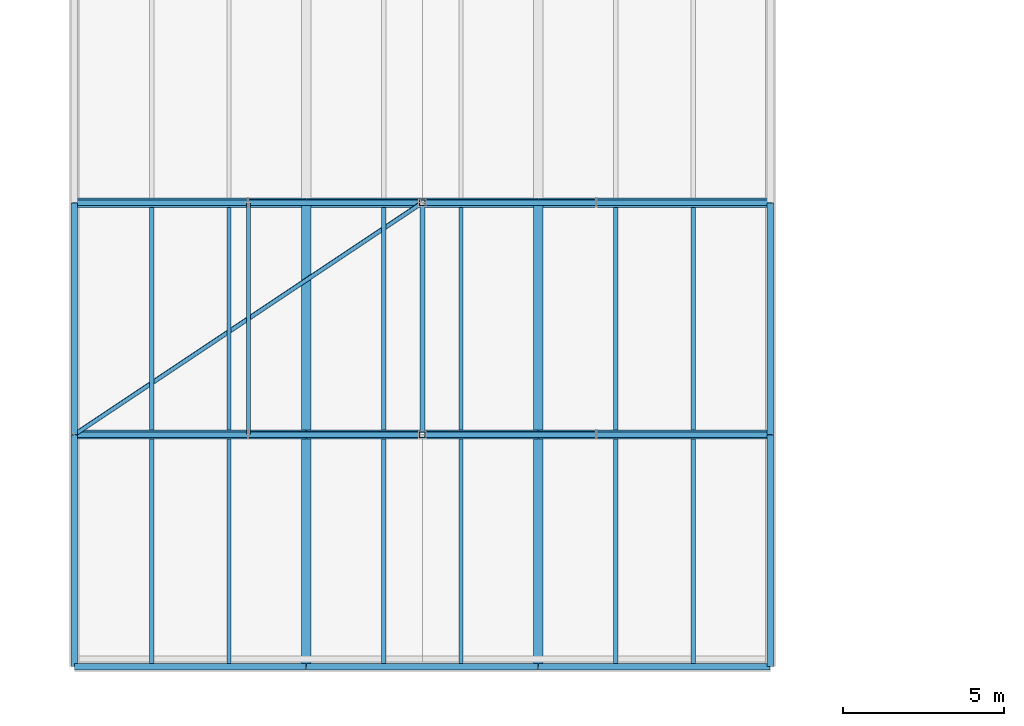
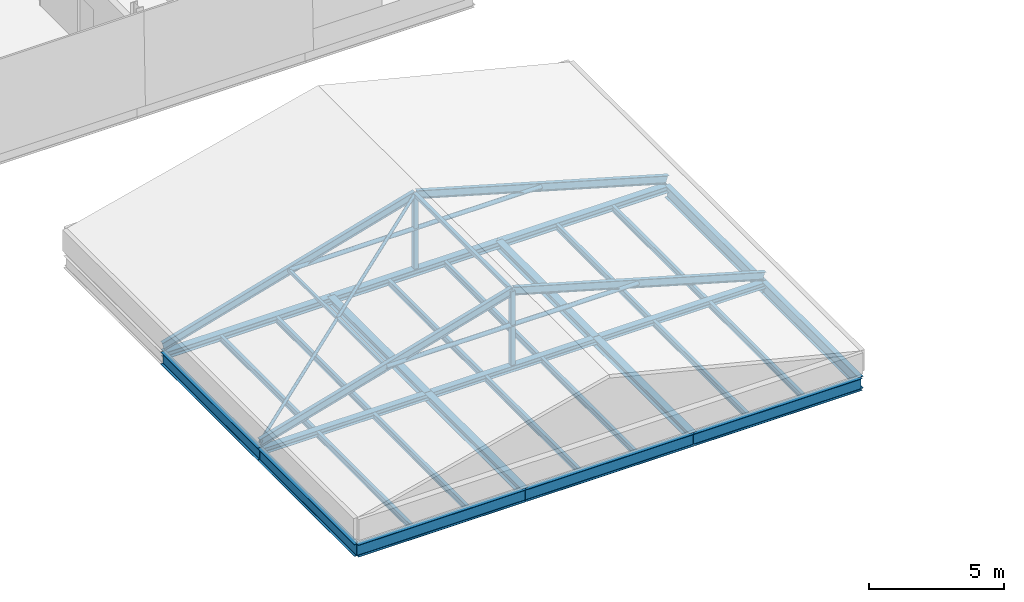
# One storey, part 13 of 91: 29 beams, 11 members.
"""IFC4 building model written with IfcOpenShell, lengths in metres."""

from ifc_helpers import new_model, si_unit, direction, frame, origin, origin_2d, place, context, subcontext, project, spatial, hollow_rectangle, hollow_circle, i_section, extrude, material, material_profile, profile_set, type_object, element, save


model = new_model("IFC4")

# Units and contexts
model_context = context("Model", 3, precision=1e-05, world=origin(), true_north=direction((0.0, 1.0)))
body_context = subcontext(model_context, "Body", "Model", "MODEL_VIEW")
ifc_project = project(units=[si_unit("LENGTHUNIT", "METRE"), si_unit("AREAUNIT", "SQUARE_METRE"), si_unit("VOLUMEUNIT", "CUBIC_METRE"), si_unit("PLANEANGLEUNIT", "RADIAN"), si_unit("MASSUNIT", "GRAM", prefix="KILO")], contexts=[model_context])

# Site, building, storey
site_placement = place(None, origin())
site = spatial("IfcSite", under=ifc_project, at=site_placement, CompositionType="ELEMENT")
building_placement = place(site_placement, origin())
building = spatial("IfcBuilding", under=site, at=building_placement, Name="Narikvali Park Central Library", CompositionType="ELEMENT")
storey_placement = place(building_placement, frame((0.0, 0.0, 14.39990234375)))
storey = spatial("IfcBuildingStorey", under=building, at=storey_placement, Name="L03", CompositionType="ELEMENT", Elevation=14.39990234375)

# Members
ifc_material = material(Name="Steel S355", Category="steel")
ifc_material_profile_1 = material_profile(ifc_material, hollow_rectangle(XDim=0.179931640625, YDim=0.179931640625, WallThickness=0.010009765625, at=origin_2d()), Name="SHS 180x180x10")
ifc_profile_set_1 = profile_set([ifc_material_profile_1], Name="Steel S355")
member_type_1 = type_object("IfcMemberType", Name="Auditorium Truss Vertical SHS180", PredefinedType="COLLAR", material=ifc_profile_set_1)
for number, where, z_axis, x_axis, name in (
    (1, (10.800048828125, 7.199951171875, -0.239990234375), (0.0, 0.0, 1.0), (1.0, 0.0, 0.0), "V2 Roof Truss King Strut 1"),
    (2, (10.800048828125, 14.39990234375, -0.239990234375), (0.0, 0.0, 1.0), (1.0, 0.0, 0.0), "V2 Roof Truss King Strut 2"),
):
    element("IfcMember", number, at=place(storey_placement, frame(where, z_axis=z_axis, x_axis=x_axis)), inside=storey, type_object=member_type_1, Name=name, PredefinedType="COLLAR", context=body_context, shape_type="SweptSolid", body=[
        extrude(hollow_rectangle(XDim=0.179931640625, YDim=0.179931640625, WallThickness=0.010009765625, at=origin_2d()), origin(), (0.0, 0.0, 1.0), 3.340087890625),
    ])

# Beams
ifc_material_profile_2 = material_profile(ifc_material, i_section(OverallWidth=0.135009765625, OverallDepth=0.27001953125, WebThickness=0.006591796875, FlangeThickness=0.01025390625, FilletRadius=0.014892578125, at=origin_2d()), Name="IPE 270")
ifc_profile_set_2 = profile_set([ifc_material_profile_2], Name="Steel S355")
beam_type_1 = type_object("IfcBeamType", Name="Composite Floor Joist IPE270", PredefinedType="JOIST", material=ifc_profile_set_2)
for number, where, z_axis, x_axis, name in (
    (3, (2.39990234375, 0.10498046875, -0.375), (0.0, 1.0, 0.0), (-1.0, 0.0, 0.0), "V2 L03 Composite Joist 1"),
    (4, (4.800048828125, 0.10498046875, -0.375), (0.0, 1.0, 0.0), (-1.0, 0.0, 0.0), "V2 L03 Composite Joist 2"),
):
    element("IfcBeam", number, at=place(storey_placement, frame(where, z_axis=z_axis, x_axis=x_axis)), inside=storey, type_object=beam_type_1, Name=name, PredefinedType="JOIST", context=body_context, shape_type="SweptSolid", body=[
        extrude(i_section(OverallWidth=0.135009765625, OverallDepth=0.27001953125, WebThickness=0.006591796875, FlangeThickness=0.01025390625, FilletRadius=0.014892578125, at=origin_2d()), origin(), (0.0, 0.0, 1.0), 6.955078125),
    ])
for number, where, z_axis, x_axis, name in (
    (5, (2.39990234375, 7.340087890625, -0.375), (0.0, 1.0, 0.0), (-1.0, 0.0, 0.0), "V2 L03 Composite Joist 1"),
    (6, (4.800048828125, 7.340087890625, -0.375), (0.0, 1.0, 0.0), (-1.0, 0.0, 0.0), "V2 L03 Composite Joist 2"),
):
    element("IfcBeam", number, at=place(storey_placement, frame(where, z_axis=z_axis, x_axis=x_axis)), inside=storey, type_object=beam_type_1, Name=name, PredefinedType="JOIST", context=body_context, shape_type="SweptSolid", body=[
        extrude(i_section(OverallWidth=0.135009765625, OverallDepth=0.27001953125, WebThickness=0.006591796875, FlangeThickness=0.01025390625, FilletRadius=0.014892578125, at=origin_2d()), origin(), (0.0, 0.0, 1.0), 6.909912109375),
    ])
for number, where, z_axis, x_axis, name in (
    (7, (9.60009765625, 0.10498046875, -0.375), (0.0, 1.0, 0.0), (-1.0, 0.0, 0.0), "V2 L03 Composite Joist 1"),
    (8, (12.0, 0.10498046875, -0.375), (0.0, 1.0, 0.0), (-1.0, 0.0, 0.0), "V2 L03 Composite Joist 2"),
):
    element("IfcBeam", number, at=place(storey_placement, frame(where, z_axis=z_axis, x_axis=x_axis)), inside=storey, type_object=beam_type_1, Name=name, PredefinedType="JOIST", context=body_context, shape_type="SweptSolid", body=[
        extrude(i_section(OverallWidth=0.135009765625, OverallDepth=0.27001953125, WebThickness=0.006591796875, FlangeThickness=0.01025390625, FilletRadius=0.014892578125, at=origin_2d()), origin(), (0.0, 0.0, 1.0), 6.955078125),
    ])
for number, where, z_axis, x_axis, name in (
    (9, (9.60009765625, 7.340087890625, -0.375), (0.0, 1.0, 0.0), (-1.0, 0.0, 0.0), "V2 L03 Composite Joist 1"),
    (10, (12.0, 7.340087890625, -0.375), (0.0, 1.0, 0.0), (-1.0, 0.0, 0.0), "V2 L03 Composite Joist 2"),
):
    element("IfcBeam", number, at=place(storey_placement, frame(where, z_axis=z_axis, x_axis=x_axis)), inside=storey, type_object=beam_type_1, Name=name, PredefinedType="JOIST", context=body_context, shape_type="SweptSolid", body=[
        extrude(i_section(OverallWidth=0.135009765625, OverallDepth=0.27001953125, WebThickness=0.006591796875, FlangeThickness=0.01025390625, FilletRadius=0.014892578125, at=origin_2d()), origin(), (0.0, 0.0, 1.0), 6.909912109375),
    ])
for number, where, z_axis, x_axis, name in (
    (11, (16.800048828125, 0.10498046875, -0.375), (0.0, 1.0, 0.0), (-1.0, 0.0, 0.0), "V2 L03 Composite Joist 1"),
    (12, (19.199951171875, 0.10498046875, -0.375), (0.0, 1.0, 0.0), (-1.0, 0.0, 0.0), "V2 L03 Composite Joist 2"),
):
    element("IfcBeam", number, at=place(storey_placement, frame(where, z_axis=z_axis, x_axis=x_axis)), inside=storey, type_object=beam_type_1, Name=name, PredefinedType="JOIST", context=body_context, shape_type="SweptSolid", body=[
        extrude(i_section(OverallWidth=0.135009765625, OverallDepth=0.27001953125, WebThickness=0.006591796875, FlangeThickness=0.01025390625, FilletRadius=0.014892578125, at=origin_2d()), origin(), (0.0, 0.0, 1.0), 6.955078125),
    ])
for number, where, z_axis, x_axis, name in (
    (13, (16.800048828125, 7.340087890625, -0.375), (0.0, 1.0, 0.0), (-1.0, 0.0, 0.0), "V2 L03 Composite Joist 1"),
    (14, (19.199951171875, 7.340087890625, -0.375), (0.0, 1.0, 0.0), (-1.0, 0.0, 0.0), "V2 L03 Composite Joist 2"),
):
    element("IfcBeam", number, at=place(storey_placement, frame(where, z_axis=z_axis, x_axis=x_axis)), inside=storey, type_object=beam_type_1, Name=name, PredefinedType="JOIST", context=body_context, shape_type="SweptSolid", body=[
        extrude(i_section(OverallWidth=0.135009765625, OverallDepth=0.27001953125, WebThickness=0.006591796875, FlangeThickness=0.01025390625, FilletRadius=0.014892578125, at=origin_2d()), origin(), (0.0, 0.0, 1.0), 6.909912109375),
    ])
ifc_material_profile_3 = material_profile(ifc_material, i_section(OverallWidth=0.300048828125, OverallDepth=0.300048828125, WebThickness=0.010986328125, FlangeThickness=0.01904296875, FilletRadius=0.027099609375, at=origin_2d()), Name="HEB 300")
ifc_profile_set_3 = profile_set([ifc_material_profile_3], Name="Steel S355")
beam_type_2 = type_object("IfcBeamType", Name="Pavilion Ridge Girder HEB300", PredefinedType="BEAM", material=ifc_profile_set_3)
beam_1_placement = place(storey_placement, frame((0.008056640625, 14.39990234375, -0.389892578125), z_axis=(1.0, 0.0, 0.0), x_axis=(0.0, 1.0, 0.0)))
element("IfcBeam", 15, at=beam_1_placement, inside=storey, type_object=beam_type_2, Name="V2 L03 Girder X", PredefinedType="BEAM", context=body_context, shape_type="SweptSolid", body=[
    extrude(i_section(OverallWidth=0.300048828125, OverallDepth=0.300048828125, WebThickness=0.010986328125, FlangeThickness=0.01904296875, FilletRadius=0.027099609375, at=origin_2d()), origin(), (0.0, 0.0, 1.0), 7.183837890625),
])
for number, where, z_axis, x_axis, name in (
    (16, (7.2080078125, 14.39990234375, -0.389892578125), (1.0, 0.0, 0.0), (0.0, 1.0, 0.0), "V2 L03 Girder X"),
    (17, (14.407958984375, 14.39990234375, -0.389892578125), (1.0, 0.0, 0.0), (0.0, 1.0, 0.0), "V2 L03 Girder X"),
):
    element("IfcBeam", number, at=place(storey_placement, frame(where, z_axis=z_axis, x_axis=x_axis)), inside=storey, type_object=beam_type_2, Name=name, PredefinedType="BEAM", context=body_context, shape_type="SweptSolid", body=[
        extrude(i_section(OverallWidth=0.300048828125, OverallDepth=0.300048828125, WebThickness=0.010986328125, FlangeThickness=0.01904296875, FilletRadius=0.027099609375, at=origin_2d()), origin(), (0.0, 0.0, 1.0), 7.18408203125),
    ])

# Members
ifc_material_profile_4 = material_profile(ifc_material, hollow_circle(Radius=0.096923828125, WallThickness=0.010009765625, at=origin_2d()), Name="CHS 193.7x10")
ifc_profile_set_4 = profile_set([ifc_material_profile_4], Name="Steel S355")
member_type_2 = type_object("IfcMemberType", Name="Pavilion Roof Collar Tie CHS193", PredefinedType="COLLAR", material=ifc_profile_set_4)
for number, where, z_axis, x_axis, name in (
    (18, (5.39990234375, 7.199951171875, 1.550048828125), (1.0, 0.0, 0.0), (0.0, 1.0, 0.0), "V2 Roof Collar Tie 1"),
    (19, (5.39990234375, 14.39990234375, 1.550048828125), (1.0, 0.0, 0.0), (0.0, 1.0, 0.0), "V2 Roof Collar Tie 2"),
):
    element("IfcMember", number, at=place(storey_placement, frame(where, z_axis=z_axis, x_axis=x_axis)), inside=storey, type_object=member_type_2, Name=name, PredefinedType="COLLAR", context=body_context, shape_type="SweptSolid", body=[
        extrude(hollow_circle(Radius=0.096923828125, WallThickness=0.010009765625, at=origin_2d()), origin(), (0.0, 0.0, 1.0), 10.800048828125),
    ])
ifc_material_profile_5 = material_profile(ifc_material, hollow_circle(Radius=0.06982421875, WallThickness=0.008056640625, at=origin_2d()), Name="CHS 139.7x8")
ifc_profile_set_5 = profile_set([ifc_material_profile_5], Name="Steel S355")
member_type_3 = type_object("IfcMemberType", Name="Pavilion Roof Wind Brace CHS139", PredefinedType="BRACE", material=ifc_profile_set_5)
member_1_placement = place(storey_placement, frame((0.0, 7.199951171875, 0.0), z_axis=(0.80929113863, 0.539521327607, 0.232302798072), x_axis=(-0.554695855682, 0.832053188017, 0.0)))
element("IfcMember", 20, at=member_1_placement, inside=storey, type_object=member_type_3, Name="V2 Roof Wind Brace 1", PredefinedType="BRACE", context=body_context, shape_type="SweptSolid", body=[
    extrude(hollow_circle(Radius=0.06982421875, WallThickness=0.008056640625, at=origin_2d()), origin(), (0.0, 0.0, 1.0), 13.344970703125),
])

# Beams
ifc_material_profile_6 = material_profile(ifc_material, i_section(OverallWidth=0.2099609375, OverallDepth=0.550048828125, WebThickness=0.010986328125, FlangeThickness=0.01708984375, FilletRadius=0.02392578125, at=origin_2d()), Name="IPE 550")
ifc_profile_set_6 = profile_set([ifc_material_profile_6], Name="Steel S355")
beam_type_3 = type_object("IfcBeamType", Name="Perimeter Spandrel IPE550", PredefinedType="SPANDREL", material=ifc_profile_set_6)
beam_2_placement = place(storey_placement, frame((0.008056640625, 0.0, -0.514892578125), z_axis=(1.0, 0.0, 0.0), x_axis=(0.0, 1.0, 0.0)))
element("IfcBeam", 21, at=beam_2_placement, inside=storey, type_object=beam_type_3, Name="V2 L03 Girder X", PredefinedType="SPANDREL", context=body_context, shape_type="SweptSolid", body=[
    extrude(i_section(OverallWidth=0.2099609375, OverallDepth=0.550048828125, WebThickness=0.010986328125, FlangeThickness=0.01708984375, FilletRadius=0.02392578125, at=origin_2d()), origin(), (0.0, 0.0, 1.0), 7.183837890625),
])
for number, where, z_axis, x_axis, name in (
    (22, (7.2080078125, 0.0, -0.514892578125), (1.0, 0.0, 0.0), (0.0, 1.0, 0.0), "V2 L03 Girder X"),
    (23, (14.407958984375, 0.0, -0.514892578125), (1.0, 0.0, 0.0), (0.0, 1.0, 0.0), "V2 L03 Girder X"),
):
    element("IfcBeam", number, at=place(storey_placement, frame(where, z_axis=z_axis, x_axis=x_axis)), inside=storey, type_object=beam_type_3, Name=name, PredefinedType="SPANDREL", context=body_context, shape_type="SweptSolid", body=[
        extrude(i_section(OverallWidth=0.2099609375, OverallDepth=0.550048828125, WebThickness=0.010986328125, FlangeThickness=0.01708984375, FilletRadius=0.02392578125, at=origin_2d()), origin(), (0.0, 0.0, 1.0), 7.18408203125),
    ])
beam_3_placement = place(storey_placement, frame((0.0, 0.008056640625, -0.514892578125), z_axis=(0.0, 1.0, 0.0), x_axis=(-1.0, 0.0, 0.0)))
element("IfcBeam", 24, at=beam_3_placement, inside=storey, type_object=beam_type_3, Name="V2 L03 Girder Y", PredefinedType="SPANDREL", context=body_context, shape_type="SweptSolid", body=[
    extrude(i_section(OverallWidth=0.2099609375, OverallDepth=0.550048828125, WebThickness=0.010986328125, FlangeThickness=0.01708984375, FilletRadius=0.02392578125, at=origin_2d()), origin(), (0.0, 0.0, 1.0), 7.183837890625),
])
beam_4_placement = place(storey_placement, frame((0.0, 7.2080078125, -0.514892578125), z_axis=(0.0, 1.0, 0.0), x_axis=(-1.0, 0.0, 0.0)))
element("IfcBeam", 25, at=beam_4_placement, inside=storey, type_object=beam_type_3, Name="V2 L03 Girder Y", PredefinedType="SPANDREL", context=body_context, shape_type="SweptSolid", body=[
    extrude(i_section(OverallWidth=0.2099609375, OverallDepth=0.550048828125, WebThickness=0.010986328125, FlangeThickness=0.01708984375, FilletRadius=0.02392578125, at=origin_2d()), origin(), (0.0, 0.0, 1.0), 7.18408203125),
])
beam_5_placement = place(storey_placement, frame((21.60009765625, 0.008056640625, -0.514892578125), z_axis=(0.0, 1.0, 0.0), x_axis=(-1.0, 0.0, 0.0)))
element("IfcBeam", 26, at=beam_5_placement, inside=storey, type_object=beam_type_3, Name="V2 L03 Girder Y", PredefinedType="SPANDREL", context=body_context, shape_type="SweptSolid", body=[
    extrude(i_section(OverallWidth=0.2099609375, OverallDepth=0.550048828125, WebThickness=0.010986328125, FlangeThickness=0.01708984375, FilletRadius=0.02392578125, at=origin_2d()), origin(), (0.0, 0.0, 1.0), 7.183837890625),
])
beam_6_placement = place(storey_placement, frame((21.60009765625, 7.2080078125, -0.514892578125), z_axis=(0.0, 1.0, 0.0), x_axis=(-1.0, 0.0, 0.0)))
element("IfcBeam", 27, at=beam_6_placement, inside=storey, type_object=beam_type_3, Name="V2 L03 Girder Y", PredefinedType="SPANDREL", context=body_context, shape_type="SweptSolid", body=[
    extrude(i_section(OverallWidth=0.2099609375, OverallDepth=0.550048828125, WebThickness=0.010986328125, FlangeThickness=0.01708984375, FilletRadius=0.02392578125, at=origin_2d()), origin(), (0.0, 0.0, 1.0), 7.18408203125),
])
ifc_material_profile_7 = material_profile(ifc_material, i_section(OverallWidth=0.280029296875, OverallDepth=0.27001953125, WebThickness=0.008056640625, FlangeThickness=0.012939453125, FilletRadius=0.02392578125, at=origin_2d()), Name="HEA 280")
ifc_profile_set_7 = profile_set([ifc_material_profile_7], Name="Steel S355")
beam_type_4 = type_object("IfcBeamType", Name="Primary Girder HEA280", PredefinedType="BEAM", material=ifc_profile_set_7)
beam_7_placement = place(storey_placement, frame((0.008056640625, 7.199951171875, -0.375), z_axis=(1.0, 0.0, 0.0), x_axis=(0.0, 1.0, 0.0)))
element("IfcBeam", 28, at=beam_7_placement, inside=storey, type_object=beam_type_4, Name="V2 L03 Girder X", PredefinedType="BEAM", context=body_context, shape_type="SweptSolid", body=[
    extrude(i_section(OverallWidth=0.280029296875, OverallDepth=0.27001953125, WebThickness=0.008056640625, FlangeThickness=0.012939453125, FilletRadius=0.02392578125, at=origin_2d()), origin(), (0.0, 0.0, 1.0), 7.183837890625),
])
for number, where, z_axis, x_axis, name in (
    (29, (7.2080078125, 7.199951171875, -0.375), (1.0, 0.0, 0.0), (0.0, 1.0, 0.0), "V2 L03 Girder X"),
    (30, (14.407958984375, 7.199951171875, -0.375), (1.0, 0.0, 0.0), (0.0, 1.0, 0.0), "V2 L03 Girder X"),
):
    element("IfcBeam", number, at=place(storey_placement, frame(where, z_axis=z_axis, x_axis=x_axis)), inside=storey, type_object=beam_type_4, Name=name, PredefinedType="BEAM", context=body_context, shape_type="SweptSolid", body=[
        extrude(i_section(OverallWidth=0.280029296875, OverallDepth=0.27001953125, WebThickness=0.008056640625, FlangeThickness=0.012939453125, FilletRadius=0.02392578125, at=origin_2d()), origin(), (0.0, 0.0, 1.0), 7.18408203125),
    ])
ifc_material_profile_8 = material_profile(ifc_material, i_section(OverallWidth=0.300048828125, OverallDepth=0.35009765625, WebThickness=0.010009765625, FlangeThickness=0.017578125, FilletRadius=0.027099609375, at=origin_2d()), Name="HEA 360")
ifc_profile_set_8 = profile_set([ifc_material_profile_8], Name="Steel S355")
beam_type_5 = type_object("IfcBeamType", Name="Primary Girder HEA360", PredefinedType="BEAM", material=ifc_profile_set_8)
beam_8_placement = place(storey_placement, frame((7.199951171875, 0.008056640625, -0.414794921875), z_axis=(0.0, 1.0, 0.0), x_axis=(-1.0, 0.0, 0.0)))
element("IfcBeam", 31, at=beam_8_placement, inside=storey, type_object=beam_type_5, Name="V2 L03 Girder Y", PredefinedType="BEAM", context=body_context, shape_type="SweptSolid", body=[
    extrude(i_section(OverallWidth=0.300048828125, OverallDepth=0.35009765625, WebThickness=0.010009765625, FlangeThickness=0.017578125, FilletRadius=0.027099609375, at=origin_2d()), origin(), (0.0, 0.0, 1.0), 7.183837890625),
])
beam_9_placement = place(storey_placement, frame((7.199951171875, 7.2080078125, -0.414794921875), z_axis=(0.0, 1.0, 0.0), x_axis=(-1.0, 0.0, 0.0)))
element("IfcBeam", 32, at=beam_9_placement, inside=storey, type_object=beam_type_5, Name="V2 L03 Girder Y", PredefinedType="BEAM", context=body_context, shape_type="SweptSolid", body=[
    extrude(i_section(OverallWidth=0.300048828125, OverallDepth=0.35009765625, WebThickness=0.010009765625, FlangeThickness=0.017578125, FilletRadius=0.027099609375, at=origin_2d()), origin(), (0.0, 0.0, 1.0), 7.18408203125),
])
beam_10_placement = place(storey_placement, frame((14.39990234375, 0.008056640625, -0.414794921875), z_axis=(0.0, 1.0, 0.0), x_axis=(-1.0, 0.0, 0.0)))
element("IfcBeam", 33, at=beam_10_placement, inside=storey, type_object=beam_type_5, Name="V2 L03 Girder Y", PredefinedType="BEAM", context=body_context, shape_type="SweptSolid", body=[
    extrude(i_section(OverallWidth=0.300048828125, OverallDepth=0.35009765625, WebThickness=0.010009765625, FlangeThickness=0.017578125, FilletRadius=0.027099609375, at=origin_2d()), origin(), (0.0, 0.0, 1.0), 7.183837890625),
])
beam_11_placement = place(storey_placement, frame((14.39990234375, 7.2080078125, -0.414794921875), z_axis=(0.0, 1.0, 0.0), x_axis=(-1.0, 0.0, 0.0)))
element("IfcBeam", 34, at=beam_11_placement, inside=storey, type_object=beam_type_5, Name="V2 L03 Girder Y", PredefinedType="BEAM", context=body_context, shape_type="SweptSolid", body=[
    extrude(i_section(OverallWidth=0.300048828125, OverallDepth=0.35009765625, WebThickness=0.010009765625, FlangeThickness=0.017578125, FilletRadius=0.027099609375, at=origin_2d()), origin(), (0.0, 0.0, 1.0), 7.18408203125),
])

# Members
ifc_material_profile_9 = material_profile(ifc_material, hollow_rectangle(XDim=0.1201171875, YDim=0.1201171875, WallThickness=0.008056640625, at=origin_2d()), Name="SHS 120x120x8")
ifc_profile_set_9 = profile_set([ifc_material_profile_9], Name="Steel S355")
member_type_4 = type_object("IfcMemberType", Name="Roof Eave Strut SHS120x120", PredefinedType="PURLIN", material=ifc_profile_set_9)
member_2_placement = place(storey_placement, frame((5.39990234375, 7.199951171875, 1.550048828125), z_axis=(0.0, 1.0, 0.0), x_axis=(-1.0, 0.0, 0.0)))
element("IfcMember", 35, at=member_2_placement, inside=storey, type_object=member_type_4, Name="V2 Mid-Slope Purlin 1", PredefinedType="PURLIN", context=body_context, shape_type="SweptSolid", body=[
    extrude(hollow_rectangle(XDim=0.1201171875, YDim=0.1201171875, WallThickness=0.008056640625, at=origin_2d()), origin(), (0.0, 0.0, 1.0), 7.199951171875),
])
ifc_material_profile_10 = material_profile(ifc_material, hollow_rectangle(XDim=0.14990234375, YDim=0.14990234375, WallThickness=0.010009765625, at=origin_2d()), Name="SHS 150x150x10")
ifc_profile_set_10 = profile_set([ifc_material_profile_10], Name="Steel S355")
member_type_5 = type_object("IfcMemberType", Name="Roof Steel Purlin SHS150x150", PredefinedType="PURLIN", material=ifc_profile_set_10)
member_3_placement = place(storey_placement, frame((10.800048828125, 7.199951171875, 3.10009765625), z_axis=(0.0, 1.0, 0.0), x_axis=(-1.0, 0.0, 0.0)))
element("IfcMember", 36, at=member_3_placement, inside=storey, type_object=member_type_5, Name="V2 Ridge Purlin 1", PredefinedType="PURLIN", context=body_context, shape_type="SweptSolid", body=[
    extrude(hollow_rectangle(XDim=0.14990234375, YDim=0.14990234375, WallThickness=0.010009765625, at=origin_2d()), origin(), (0.0, 0.0, 1.0), 7.199951171875),
])
ifc_material_profile_11 = material_profile(ifc_material, i_section(OverallWidth=0.169921875, OverallDepth=0.360107421875, WebThickness=0.008056640625, FlangeThickness=0.0126953125, FilletRadius=0.01806640625, at=origin_2d()), Name="IPE 360")
ifc_profile_set_11 = profile_set([ifc_material_profile_11], Name="Steel S355")
member_type_6 = type_object("IfcMemberType", Name="Roof Steel Rafter IPE360", PredefinedType="RAFTER", material=ifc_profile_set_11)
for number, where, z_axis, x_axis, name in (
    (37, (0.0, 7.199951171875, 0.0), (0.961185410445, 0.0, 0.275903256139), (0.0, 1.0, 0.0), "V2 Roof Rafter W 1"),
    (38, (10.800048828125, 7.199951171875, 3.10009765625), (0.961185410445, 0.0, -0.275903256139), (0.0, 1.0, 0.0), "V2 Roof Rafter E 1"),
    (39, (0.0, 14.39990234375, 0.0), (0.961185410445, 0.0, 0.275903256139), (0.0, 1.0, 0.0), "V2 Roof Rafter W 2"),
    (40, (10.800048828125, 14.39990234375, 3.10009765625), (0.961185410445, 0.0, -0.275903256139), (0.0, 1.0, 0.0), "V2 Roof Rafter E 2"),
):
    element("IfcMember", number, at=place(storey_placement, frame(where, z_axis=z_axis, x_axis=x_axis)), inside=storey, type_object=member_type_6, Name=name, PredefinedType="RAFTER", context=body_context, shape_type="SweptSolid", body=[
        extrude(i_section(OverallWidth=0.169921875, OverallDepth=0.360107421875, WebThickness=0.008056640625, FlangeThickness=0.0126953125, FilletRadius=0.01806640625, at=origin_2d()), origin(), (0.0, 0.0, 1.0), 11.236083984375),
    ])

save(model, "model.ifc")
